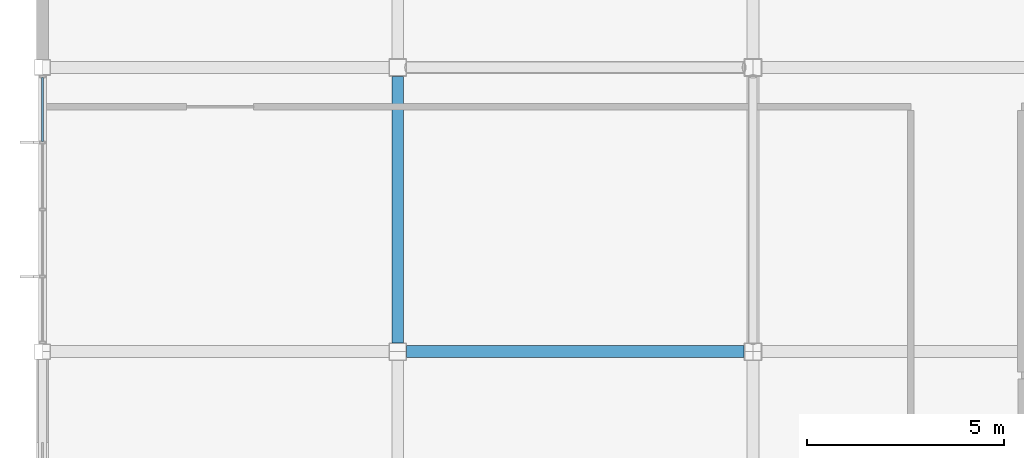
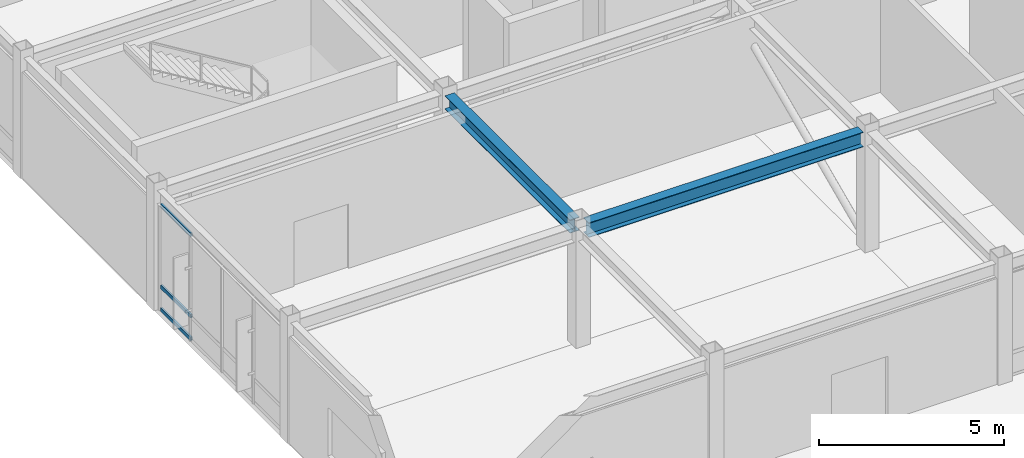
# One storey, part 14 of 106: 3 members, 2 beams, 1 element without a shape of its own.
"""IFC4 building model written with IfcOpenShell, lengths in metres."""

from ifc_helpers import new_model, si_unit, direction, frame, origin, origin_2d, place, context, subcontext, project, spatial, hollow_rectangle, i_section, extrude, material, material_profile, profile_set, type_object, element, aggregate, save


model = new_model("IFC4")

# Units and contexts
model_context = context("Model", 3, precision=1e-05, world=origin(), true_north=direction((0.0, 1.0)))
body_context = subcontext(model_context, "Body", "Model", "MODEL_VIEW")
ifc_project = project(units=[si_unit("LENGTHUNIT", "METRE"), si_unit("AREAUNIT", "SQUARE_METRE"), si_unit("VOLUMEUNIT", "CUBIC_METRE"), si_unit("PLANEANGLEUNIT", "RADIAN"), si_unit("MASSUNIT", "GRAM", prefix="KILO")], contexts=[model_context])

# Site, building, storey
site_placement = place(None, origin())
site = spatial("IfcSite", under=ifc_project, at=site_placement, CompositionType="ELEMENT")
building_placement = place(site_placement, origin())
building = spatial("IfcBuilding", under=site, at=building_placement, Name="Kazanami Central Library", CompositionType="ELEMENT")
storey_placement = place(building_placement, frame((0.0, 0.0, 12.800048828125)))
storey = spatial("IfcBuildingStorey", under=building, at=storey_placement, Name="L04", CompositionType="ELEMENT", Elevation=12.800048828125)

# Beams
ifc_material_1 = material(Name="Steel SN490B (325 MPa)", Category="steel")
ifc_material_profile_1 = material_profile(ifc_material_1, i_section(OverallWidth=0.300048828125, OverallDepth=0.488037109375, WebThickness=0.010986328125, FlangeThickness=0.01806640625, at=origin_2d()), Name="H-488x300x11x18")
ifc_profile_set_1 = profile_set([ifc_material_profile_1], Name="Steel SN490B (325 MPa)")
beam_type_1 = type_object("IfcBeamType", Name="BM-G-X5", PredefinedType="BEAM", material=ifc_profile_set_1)
beam_1_placement = place(storey_placement, frame((9.222900390625, 72.0, 3.696044921875), z_axis=(1.0, 0.0, 0.0), x_axis=(0.0, 1.0, 0.0)))
element("IfcBeam", 1, at=beam_1_placement, inside=storey, type_object=beam_type_1, Name="Girder G-X5 L04 L/2-3", PredefinedType="BEAM", context=body_context, shape_type="SweptSolid", body=[
    extrude(i_section(OverallWidth=0.300048828125, OverallDepth=0.488037109375, WebThickness=0.010986328125, FlangeThickness=0.01806640625, at=origin_2d()), origin(), (0.0, 0.0, 1.0), 8.55419921875),
])
ifc_material_profile_2 = material_profile(ifc_material_1, i_section(OverallWidth=0.300048828125, OverallDepth=0.43994140625, WebThickness=0.010986328125, FlangeThickness=0.01806640625, at=origin_2d()), Name="H-440x300x11x18")
ifc_profile_set_2 = profile_set([ifc_material_profile_2], Name="Steel SN490B (325 MPa)")
beam_type_2 = type_object("IfcBeamType", Name="BM-G-Y4", PredefinedType="BEAM", material=ifc_profile_set_2)
beam_2_placement = place(storey_placement, frame((9.0, 72.222900390625, 3.719970703125), z_axis=(0.0, 1.0, 0.0), x_axis=(-1.0, 0.0, 0.0)))
element("IfcBeam", 2, at=beam_2_placement, inside=storey, type_object=beam_type_2, Name="Girder G-Y4 L04 2/L-M", PredefinedType="BEAM", context=body_context, shape_type="SweptSolid", body=[
    extrude(i_section(OverallWidth=0.300048828125, OverallDepth=0.43994140625, WebThickness=0.010986328125, FlangeThickness=0.01806640625, at=origin_2d()), origin(), (0.0, 0.0, 1.0), 6.754150390625),
])

# Curtain wall, members
ifc_material_2 = material(Name="Acid-Etched Low-E Laminated Glass", Category="glass")
curtain_wall_type = type_object("IfcCurtainWallType", Name="CW-6800x3490-M180", PredefinedType="USERDEFINED", material=ifc_material_2)
curtain_wall_placement = place(storey_placement, origin())
curtain_wall = element("IfcCurtainWall", 3, at=curtain_wall_placement, inside=storey, type_object=curtain_wall_type, Name="Unitised Curtain Wall CW-43 L04 W-1-10", ObjectType="UNITISED CURTAIN WALL", PredefinedType="USERDEFINED")
ifc_material_3 = material(Name="Anodised Aluminium A6063-T5", Category="aluminium")
ifc_material_profile_3 = material_profile(ifc_material_3, hollow_rectangle(XDim=0.06005859375, YDim=0.1201171875, WallThickness=0.00341796875, at=origin_2d()), Name="ALU-TRAN-60x120x3.5")
ifc_profile_set_3 = profile_set([ifc_material_profile_3], Name="Anodised Aluminium A6063-T5")
member_type = type_object("IfcMemberType", Name="MEM-CW-T3", PredefinedType="USERDEFINED", material=ifc_profile_set_3)
member_1_placement = place(storey_placement, frame((0.0, 77.330078125, 0.030029296875), z_axis=(0.0, 1.0, 0.0), x_axis=(-1.0, 0.0, 0.0)))
member_1 = element("IfcMember", 4, at=member_1_placement, type_object=member_type, Name="CW-43 transom 4.1", ObjectType="TRANSOM", PredefinedType="USERDEFINED", context=body_context, shape_type="SweptSolid", body=[
    extrude(hollow_rectangle(XDim=0.06005859375, YDim=0.1201171875, WallThickness=0.00341796875, at=origin_2d()), origin(), (0.0, 0.0, 1.0), 1.60986328125),
])
member_2_placement = place(storey_placement, frame((0.0, 77.330078125, 0.780029296875), z_axis=(0.0, 1.0, 0.0), x_axis=(-1.0, 0.0, 0.0)))
member_2 = element("IfcMember", 5, at=member_2_placement, type_object=member_type, Name="CW-43 transom 4.2", ObjectType="TRANSOM", PredefinedType="USERDEFINED", context=body_context, shape_type="SweptSolid", body=[
    extrude(hollow_rectangle(XDim=0.06005859375, YDim=0.1201171875, WallThickness=0.00341796875, at=origin_2d()), origin(), (0.0, 0.0, 1.0), 1.60986328125),
])
member_3_placement = place(storey_placement, frame((0.0, 77.330078125, 3.4599609375), z_axis=(0.0, 1.0, 0.0), x_axis=(-1.0, 0.0, 0.0)))
member_3 = element("IfcMember", 6, at=member_3_placement, type_object=member_type, Name="CW-43 transom 4.3", ObjectType="TRANSOM", PredefinedType="USERDEFINED", context=body_context, shape_type="SweptSolid", body=[
    extrude(hollow_rectangle(XDim=0.06005859375, YDim=0.1201171875, WallThickness=0.00341796875, at=origin_2d()), origin(), (0.0, 0.0, 1.0), 1.60986328125),
])
aggregate(curtain_wall, [member_1, member_2, member_3])

save(model, "model.ifc")
